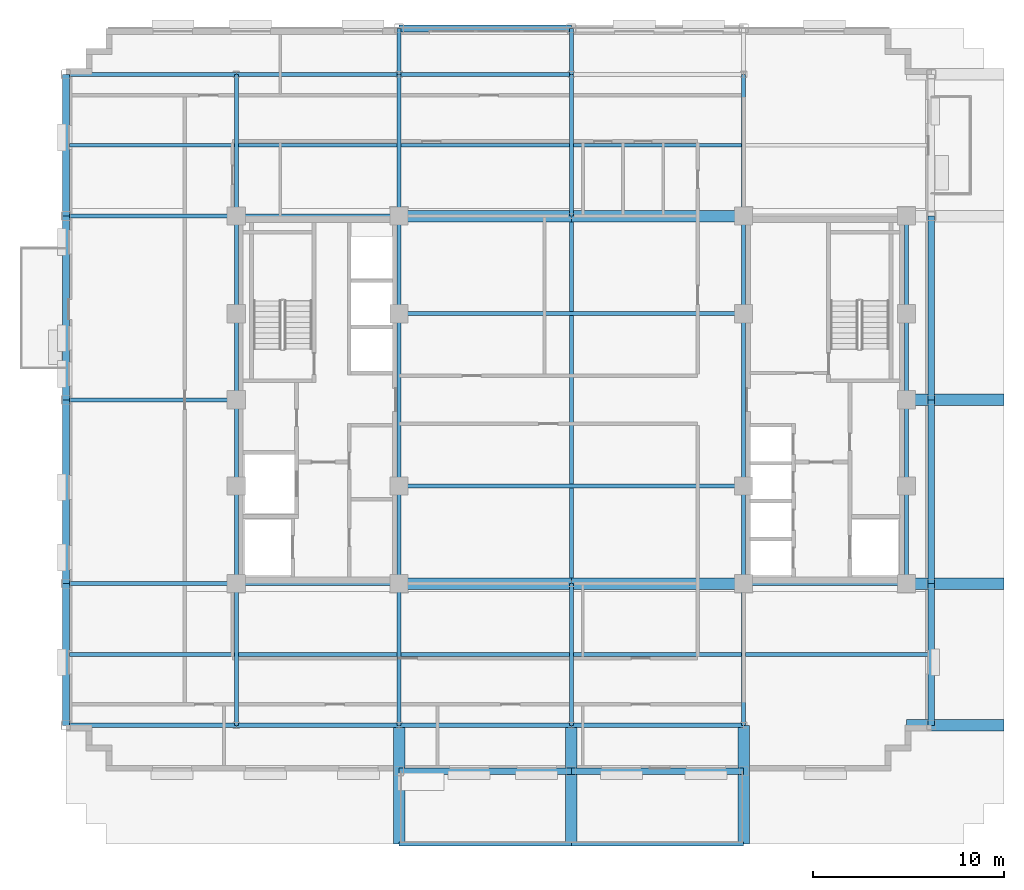
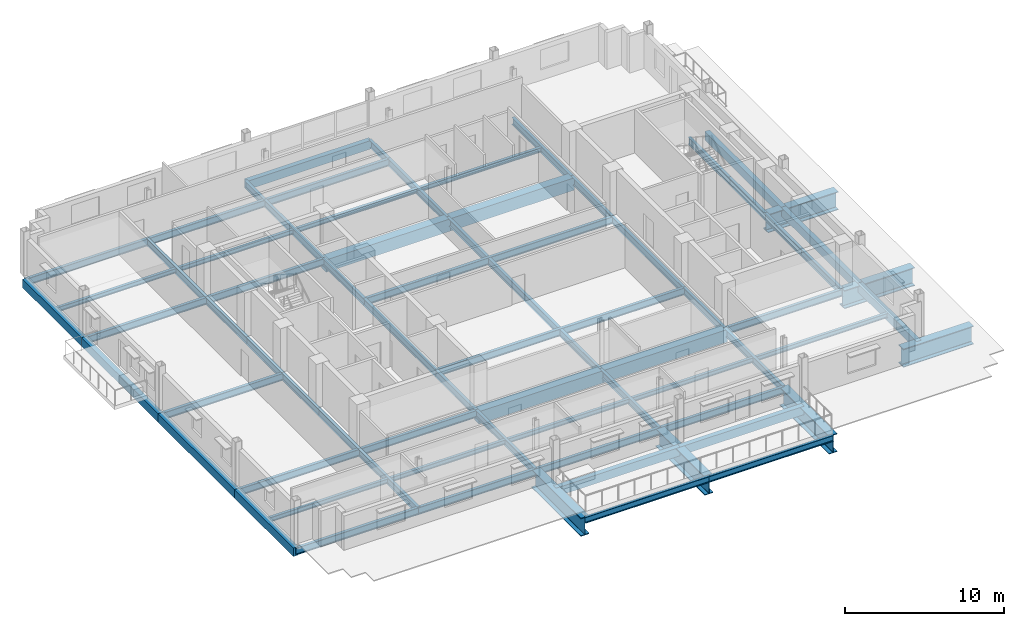
# One storey, part 5 of 16: 71 beams.
"""IFC4 building model written with IfcOpenShell, lengths in metres."""

from ifc_helpers import new_model, si_unit, direction, frame, origin, origin_2d, place, context, subcontext, project, spatial, rectangle, i_section, extrude, material, material_profile, profile_set, type_object, element, save


model = new_model("IFC4")

# Units and contexts
model_context = context("Model", 3, precision=1e-05, world=origin(), true_north=direction((0.0, 1.0)))
body_context = subcontext(model_context, "Body", "Model", "MODEL_VIEW")
ifc_project = project(units=[si_unit("LENGTHUNIT", "METRE"), si_unit("AREAUNIT", "SQUARE_METRE"), si_unit("VOLUMEUNIT", "CUBIC_METRE"), si_unit("PLANEANGLEUNIT", "RADIAN"), si_unit("MASSUNIT", "GRAM", prefix="KILO")], contexts=[model_context])

# Site, building, storey
site_placement = place(None, origin())
site = spatial("IfcSite", under=ifc_project, at=site_placement, CompositionType="ELEMENT")
building_placement = place(site_placement, origin())
building = spatial("IfcBuilding", under=site, at=building_placement, Name="Nuvemarco Arch Tower", CompositionType="ELEMENT")
storey_placement = place(building_placement, frame((0.0, 0.0, 209.14990234375)))
storey = spatial("IfcBuildingStorey", under=building, at=storey_placement, Name="L55", CompositionType="ELEMENT", Elevation=209.14990234375)

# Beams
ifc_material_1 = material(Name="Concrete C60/75", Category="concrete")
ifc_material_profile_1 = material_profile(ifc_material_1, rectangle(XDim=0.60009765625, YDim=0.949951171875, at=origin_2d()), Name="RC-BM-600x950")
ifc_profile_set_1 = profile_set([ifc_material_profile_1], Name="Concrete C60/75")
beam_type_1 = type_object("IfcBeamType", Name="BM-COUP-RC", PredefinedType="LINTEL", material=ifc_profile_set_1)
for number, where, z_axis, x_axis, name in (
    (1, (-9.0, -9.60009765625, -0.875), (1.0, 0.0, 0.0), (0.0, 1.0, 0.0), "L55 structural beam BGEW_L55_0_-9.6_-9.0"),
    (2, (0.0, -9.60009765625, -0.875), (1.0, 0.0, 0.0), (0.0, 1.0, 0.0), "L55 structural beam BGEW_L55_0_-9.6_+0.0"),
    (3, (-9.0, 9.60009765625, -0.875), (1.0, 0.0, 0.0), (0.0, 1.0, 0.0), "L55 structural beam BGEW_L55_0_+9.6_-9.0"),
    (4, (0.0, 9.60009765625, -0.875), (1.0, 0.0, 0.0), (0.0, 1.0, 0.0), "L55 structural beam BGEW_L55_0_+9.6_+0.0"),
):
    element("IfcBeam", number, at=place(storey_placement, frame(where, z_axis=z_axis, x_axis=x_axis)), inside=storey, type_object=beam_type_1, Name=name, PredefinedType="LINTEL", context=body_context, shape_type="SweptSolid", body=[
        extrude(rectangle(XDim=0.60009765625, YDim=0.949951171875, at=origin_2d()), origin(), (0.0, 0.0, 1.0), 9.0),
    ])
ifc_material_2 = material(Name="Steel S355", Category="steel")
ifc_material_profile_2 = material_profile(ifc_material_2, i_section(OverallWidth=0.2109375, OverallDepth=0.5390625, WebThickness=0.01171875, FlangeThickness=0.018798828125, FilletRadius=0.01611328125, at=origin_2d()), Name="W530x109")
ifc_profile_set_2 = profile_set([ifc_material_profile_2], Name="Steel S355")
beam_type_2 = type_object("IfcBeamType", Name="BM-GIRD-530", PredefinedType="BEAM", material=ifc_profile_set_2)
beam_1_placement = place(storey_placement, frame((-17.5, -17.0, -0.66943359375), z_axis=(0.0, 1.0, 0.0), x_axis=(-1.0, 0.0, 0.0)))
element("IfcBeam", 5, at=beam_1_placement, inside=storey, type_object=beam_type_2, Name="L55 structural beam BGNS_L55_0_-17.5_-17.0", PredefinedType="BEAM", context=body_context, shape_type="SweptSolid", body=[
    extrude(i_section(OverallWidth=0.2109375, OverallDepth=0.5390625, WebThickness=0.01171875, FlangeThickness=0.018798828125, FilletRadius=0.01611328125, at=origin_2d()), origin(), (0.0, 0.0, 1.0), 7.39990234375),
])
beam_2_placement = place(storey_placement, frame((-17.5, -9.60009765625, -0.66943359375), z_axis=(0.0, 1.0, 0.0), x_axis=(-1.0, 0.0, 0.0)))
element("IfcBeam", 6, at=beam_2_placement, inside=storey, type_object=beam_type_2, Name="L55 structural beam BGNS_L55_0_-17.5_-9.6", PredefinedType="BEAM", context=body_context, shape_type="SweptSolid", body=[
    extrude(i_section(OverallWidth=0.2109375, OverallDepth=0.5390625, WebThickness=0.01171875, FlangeThickness=0.018798828125, FilletRadius=0.01611328125, at=origin_2d()), origin(), (0.0, 0.0, 1.0), 5.10009765625),
])
for number, where, z_axis, x_axis, name in (
    (7, (-17.5, -4.5, -0.66943359375), (0.0, 1.0, 0.0), (-1.0, 0.0, 0.0), "L55 structural beam BGNS_L55_0_-17.5_-4.5"),
    (8, (-17.5, 0.0, -0.66943359375), (0.0, 1.0, 0.0), (-1.0, 0.0, 0.0), "L55 structural beam BGNS_L55_0_-17.5_+0.0"),
):
    element("IfcBeam", number, at=place(storey_placement, frame(where, z_axis=z_axis, x_axis=x_axis)), inside=storey, type_object=beam_type_2, Name=name, PredefinedType="BEAM", context=body_context, shape_type="SweptSolid", body=[
        extrude(i_section(OverallWidth=0.2109375, OverallDepth=0.5390625, WebThickness=0.01171875, FlangeThickness=0.018798828125, FilletRadius=0.01611328125, at=origin_2d()), origin(), (0.0, 0.0, 1.0), 4.5),
    ])
beam_3_placement = place(storey_placement, frame((-17.5, 4.5, -0.66943359375), z_axis=(0.0, 1.0, 0.0), x_axis=(-1.0, 0.0, 0.0)))
element("IfcBeam", 9, at=beam_3_placement, inside=storey, type_object=beam_type_2, Name="L55 structural beam BGNS_L55_0_-17.5_+4.5", PredefinedType="BEAM", context=body_context, shape_type="SweptSolid", body=[
    extrude(i_section(OverallWidth=0.2109375, OverallDepth=0.5390625, WebThickness=0.01171875, FlangeThickness=0.018798828125, FilletRadius=0.01611328125, at=origin_2d()), origin(), (0.0, 0.0, 1.0), 5.10009765625),
])
for number, where, z_axis, x_axis, name in (
    (10, (-17.5, 9.60009765625, -0.66943359375), (0.0, 1.0, 0.0), (-1.0, 0.0, 0.0), "L55 structural beam BGNS_L55_0_-17.5_+9.6"),
    (11, (-9.0, -17.0, -0.66943359375), (0.0, 1.0, 0.0), (-1.0, 0.0, 0.0), "L55 structural beam BGNS_L55_0_-9.0_-17.0"),
):
    element("IfcBeam", number, at=place(storey_placement, frame(where, z_axis=z_axis, x_axis=x_axis)), inside=storey, type_object=beam_type_2, Name=name, PredefinedType="BEAM", context=body_context, shape_type="SweptSolid", body=[
        extrude(i_section(OverallWidth=0.2109375, OverallDepth=0.5390625, WebThickness=0.01171875, FlangeThickness=0.018798828125, FilletRadius=0.01611328125, at=origin_2d()), origin(), (0.0, 0.0, 1.0), 7.39990234375),
    ])
beam_4_placement = place(storey_placement, frame((-9.0, -9.60009765625, -0.66943359375), z_axis=(0.0, 1.0, 0.0), x_axis=(-1.0, 0.0, 0.0)))
element("IfcBeam", 12, at=beam_4_placement, inside=storey, type_object=beam_type_2, Name="L55 structural beam BGNS_L55_0_-9.0_-9.6", PredefinedType="BEAM", context=body_context, shape_type="SweptSolid", body=[
    extrude(i_section(OverallWidth=0.2109375, OverallDepth=0.5390625, WebThickness=0.01171875, FlangeThickness=0.018798828125, FilletRadius=0.01611328125, at=origin_2d()), origin(), (0.0, 0.0, 1.0), 5.10009765625),
])
beam_5_placement = place(storey_placement, frame((-9.0, -4.5, -0.66943359375), z_axis=(0.0, 1.0, 0.0), x_axis=(-1.0, 0.0, 0.0)))
element("IfcBeam", 13, at=beam_5_placement, inside=storey, type_object=beam_type_2, Name="L55 structural beam BGNS_L55_0_-9.0_-4.5", PredefinedType="BEAM", context=body_context, shape_type="SweptSolid", body=[
    extrude(i_section(OverallWidth=0.2109375, OverallDepth=0.5390625, WebThickness=0.01171875, FlangeThickness=0.018798828125, FilletRadius=0.01611328125, at=origin_2d()), origin(), (0.0, 0.0, 1.0), 9.0),
])
beam_6_placement = place(storey_placement, frame((-9.0, 4.5, -0.66943359375), z_axis=(0.0, 1.0, 0.0), x_axis=(-1.0, 0.0, 0.0)))
element("IfcBeam", 14, at=beam_6_placement, inside=storey, type_object=beam_type_2, Name="L55 structural beam BGNS_L55_0_-9.0_+4.5", PredefinedType="BEAM", context=body_context, shape_type="SweptSolid", body=[
    extrude(i_section(OverallWidth=0.2109375, OverallDepth=0.5390625, WebThickness=0.01171875, FlangeThickness=0.018798828125, FilletRadius=0.01611328125, at=origin_2d()), origin(), (0.0, 0.0, 1.0), 5.10009765625),
])
beam_7_placement = place(storey_placement, frame((-9.0, 9.60009765625, -0.66943359375), z_axis=(0.0, 1.0, 0.0), x_axis=(-1.0, 0.0, 0.0)))
element("IfcBeam", 15, at=beam_7_placement, inside=storey, type_object=beam_type_2, Name="L55 structural beam BGNS_L55_0_-9.0_+9.6", PredefinedType="BEAM", context=body_context, shape_type="SweptSolid", body=[
    extrude(i_section(OverallWidth=0.2109375, OverallDepth=0.5390625, WebThickness=0.01171875, FlangeThickness=0.018798828125, FilletRadius=0.01611328125, at=origin_2d()), origin(), (0.0, 0.0, 1.0), 7.39990234375),
])
beam_8_placement = place(storey_placement, frame((-9.0, 17.0, -0.66943359375), z_axis=(0.0, 1.0, 0.0), x_axis=(-1.0, 0.0, 0.0)))
element("IfcBeam", 16, at=beam_8_placement, inside=storey, type_object=beam_type_2, Name="L55 structural beam BGNS_L55_0_-9.0_+17.0", PredefinedType="BEAM", context=body_context, shape_type="SweptSolid", body=[
    extrude(i_section(OverallWidth=0.2109375, OverallDepth=0.5390625, WebThickness=0.01171875, FlangeThickness=0.018798828125, FilletRadius=0.01611328125, at=origin_2d()), origin(), (0.0, 0.0, 1.0), 2.39990234375),
])
beam_9_placement = place(storey_placement, frame((0.0, -17.0, -0.66943359375), z_axis=(0.0, 1.0, 0.0), x_axis=(-1.0, 0.0, 0.0)))
element("IfcBeam", 17, at=beam_9_placement, inside=storey, type_object=beam_type_2, Name="L55 structural beam BGNS_L55_0_+0.0_-17.0", PredefinedType="BEAM", context=body_context, shape_type="SweptSolid", body=[
    extrude(i_section(OverallWidth=0.2109375, OverallDepth=0.5390625, WebThickness=0.01171875, FlangeThickness=0.018798828125, FilletRadius=0.01611328125, at=origin_2d()), origin(), (0.0, 0.0, 1.0), 7.39990234375),
])
beam_10_placement = place(storey_placement, frame((0.0, -9.60009765625, -0.66943359375), z_axis=(0.0, 1.0, 0.0), x_axis=(-1.0, 0.0, 0.0)))
element("IfcBeam", 18, at=beam_10_placement, inside=storey, type_object=beam_type_2, Name="L55 structural beam BGNS_L55_0_+0.0_-9.6", PredefinedType="BEAM", context=body_context, shape_type="SweptSolid", body=[
    extrude(i_section(OverallWidth=0.2109375, OverallDepth=0.5390625, WebThickness=0.01171875, FlangeThickness=0.018798828125, FilletRadius=0.01611328125, at=origin_2d()), origin(), (0.0, 0.0, 1.0), 19.2001953125),
])
beam_11_placement = place(storey_placement, frame((0.0, 9.60009765625, -0.66943359375), z_axis=(0.0, 1.0, 0.0), x_axis=(-1.0, 0.0, 0.0)))
element("IfcBeam", 19, at=beam_11_placement, inside=storey, type_object=beam_type_2, Name="L55 structural beam BGNS_L55_0_+0.0_+9.6", PredefinedType="BEAM", context=body_context, shape_type="SweptSolid", body=[
    extrude(i_section(OverallWidth=0.2109375, OverallDepth=0.5390625, WebThickness=0.01171875, FlangeThickness=0.018798828125, FilletRadius=0.01611328125, at=origin_2d()), origin(), (0.0, 0.0, 1.0), 7.39990234375),
])
beam_12_placement = place(storey_placement, frame((0.0, 17.0, -0.66943359375), z_axis=(0.0, 1.0, 0.0), x_axis=(-1.0, 0.0, 0.0)))
element("IfcBeam", 20, at=beam_12_placement, inside=storey, type_object=beam_type_2, Name="L55 structural beam BGNS_L55_0_+0.0_+17.0", PredefinedType="BEAM", context=body_context, shape_type="SweptSolid", body=[
    extrude(i_section(OverallWidth=0.2109375, OverallDepth=0.5390625, WebThickness=0.01171875, FlangeThickness=0.018798828125, FilletRadius=0.01611328125, at=origin_2d()), origin(), (0.0, 0.0, 1.0), 2.39990234375),
])
beam_13_placement = place(storey_placement, frame((9.0, -17.0, -0.66943359375), z_axis=(0.0, 1.0, 0.0), x_axis=(-1.0, 0.0, 0.0)))
element("IfcBeam", 21, at=beam_13_placement, inside=storey, type_object=beam_type_2, Name="L55 structural beam BGNS_L55_0_+9.0_-17.0", PredefinedType="BEAM", context=body_context, shape_type="SweptSolid", body=[
    extrude(i_section(OverallWidth=0.2109375, OverallDepth=0.5390625, WebThickness=0.01171875, FlangeThickness=0.018798828125, FilletRadius=0.01611328125, at=origin_2d()), origin(), (0.0, 0.0, 1.0), 7.39990234375),
])
beam_14_placement = place(storey_placement, frame((9.0, -9.60009765625, -0.66943359375), z_axis=(0.0, 1.0, 0.0), x_axis=(-1.0, 0.0, 0.0)))
element("IfcBeam", 22, at=beam_14_placement, inside=storey, type_object=beam_type_2, Name="L55 structural beam BGNS_L55_0_+9.0_-9.6", PredefinedType="BEAM", context=body_context, shape_type="SweptSolid", body=[
    extrude(i_section(OverallWidth=0.2109375, OverallDepth=0.5390625, WebThickness=0.01171875, FlangeThickness=0.018798828125, FilletRadius=0.01611328125, at=origin_2d()), origin(), (0.0, 0.0, 1.0), 5.10009765625),
])
beam_15_placement = place(storey_placement, frame((9.0, -4.5, -0.66943359375), z_axis=(0.0, 1.0, 0.0), x_axis=(-1.0, 0.0, 0.0)))
element("IfcBeam", 23, at=beam_15_placement, inside=storey, type_object=beam_type_2, Name="L55 structural beam BGNS_L55_0_+9.0_-4.5", PredefinedType="BEAM", context=body_context, shape_type="SweptSolid", body=[
    extrude(i_section(OverallWidth=0.2109375, OverallDepth=0.5390625, WebThickness=0.01171875, FlangeThickness=0.018798828125, FilletRadius=0.01611328125, at=origin_2d()), origin(), (0.0, 0.0, 1.0), 9.0),
])
beam_16_placement = place(storey_placement, frame((9.0, 4.5, -0.66943359375), z_axis=(0.0, 1.0, 0.0), x_axis=(-1.0, 0.0, 0.0)))
element("IfcBeam", 24, at=beam_16_placement, inside=storey, type_object=beam_type_2, Name="L55 structural beam BGNS_L55_0_+9.0_+4.5", PredefinedType="BEAM", context=body_context, shape_type="SweptSolid", body=[
    extrude(i_section(OverallWidth=0.2109375, OverallDepth=0.5390625, WebThickness=0.01171875, FlangeThickness=0.018798828125, FilletRadius=0.01611328125, at=origin_2d()), origin(), (0.0, 0.0, 1.0), 5.10009765625),
])
beam_17_placement = place(storey_placement, frame((9.0, 9.60009765625, -0.66943359375), z_axis=(0.0, 1.0, 0.0), x_axis=(-1.0, 0.0, 0.0)))
element("IfcBeam", 25, at=beam_17_placement, inside=storey, type_object=beam_type_2, Name="L55 structural beam BGNS_L55_0_+9.0_+9.6", PredefinedType="BEAM", context=body_context, shape_type="SweptSolid", body=[
    extrude(i_section(OverallWidth=0.2109375, OverallDepth=0.5390625, WebThickness=0.01171875, FlangeThickness=0.018798828125, FilletRadius=0.01611328125, at=origin_2d()), origin(), (0.0, 0.0, 1.0), 7.39990234375),
])
beam_18_placement = place(storey_placement, frame((17.5, -9.60009765625, -0.66943359375), z_axis=(0.0, 1.0, 0.0), x_axis=(-1.0, 0.0, 0.0)))
element("IfcBeam", 26, at=beam_18_placement, inside=storey, type_object=beam_type_2, Name="L55 structural beam BGNS_L55_0_+17.5_-9.6", PredefinedType="BEAM", context=body_context, shape_type="SweptSolid", body=[
    extrude(i_section(OverallWidth=0.2109375, OverallDepth=0.5390625, WebThickness=0.01171875, FlangeThickness=0.018798828125, FilletRadius=0.01611328125, at=origin_2d()), origin(), (0.0, 0.0, 1.0), 5.10009765625),
])
for number, where, z_axis, x_axis, name in (
    (27, (17.5, -4.5, -0.66943359375), (0.0, 1.0, 0.0), (-1.0, 0.0, 0.0), "L55 structural beam BGNS_L55_0_+17.5_-4.5"),
    (28, (17.5, 0.0, -0.66943359375), (0.0, 1.0, 0.0), (-1.0, 0.0, 0.0), "L55 structural beam BGNS_L55_0_+17.5_+0.0"),
):
    element("IfcBeam", number, at=place(storey_placement, frame(where, z_axis=z_axis, x_axis=x_axis)), inside=storey, type_object=beam_type_2, Name=name, PredefinedType="BEAM", context=body_context, shape_type="SweptSolid", body=[
        extrude(i_section(OverallWidth=0.2109375, OverallDepth=0.5390625, WebThickness=0.01171875, FlangeThickness=0.018798828125, FilletRadius=0.01611328125, at=origin_2d()), origin(), (0.0, 0.0, 1.0), 4.5),
    ])
beam_19_placement = place(storey_placement, frame((17.5, 4.5, -0.66943359375), z_axis=(0.0, 1.0, 0.0), x_axis=(-1.0, 0.0, 0.0)))
element("IfcBeam", 29, at=beam_19_placement, inside=storey, type_object=beam_type_2, Name="L55 structural beam BGNS_L55_0_+17.5_+4.5", PredefinedType="BEAM", context=body_context, shape_type="SweptSolid", body=[
    extrude(i_section(OverallWidth=0.2109375, OverallDepth=0.5390625, WebThickness=0.01171875, FlangeThickness=0.018798828125, FilletRadius=0.01611328125, at=origin_2d()), origin(), (0.0, 0.0, 1.0), 5.10009765625),
])
beam_20_placement = place(storey_placement, frame((-26.39990234375, -17.0, -0.66943359375), z_axis=(1.0, 0.0, 0.0), x_axis=(0.0, 1.0, 0.0)))
element("IfcBeam", 30, at=beam_20_placement, inside=storey, type_object=beam_type_2, Name="L55 structural beam BGEW_L55_0_-17.0_-26.4", PredefinedType="BEAM", context=body_context, shape_type="SweptSolid", body=[
    extrude(i_section(OverallWidth=0.2109375, OverallDepth=0.5390625, WebThickness=0.01171875, FlangeThickness=0.018798828125, FilletRadius=0.01611328125, at=origin_2d()), origin(), (0.0, 0.0, 1.0), 8.89990234375),
])
beam_21_placement = place(storey_placement, frame((-17.5, -17.0, -0.66943359375), z_axis=(1.0, 0.0, 0.0), x_axis=(0.0, 1.0, 0.0)))
element("IfcBeam", 31, at=beam_21_placement, inside=storey, type_object=beam_type_2, Name="L55 structural beam BGEW_L55_0_-17.0_-17.5", PredefinedType="BEAM", context=body_context, shape_type="SweptSolid", body=[
    extrude(i_section(OverallWidth=0.2109375, OverallDepth=0.5390625, WebThickness=0.01171875, FlangeThickness=0.018798828125, FilletRadius=0.01611328125, at=origin_2d()), origin(), (0.0, 0.0, 1.0), 8.5),
])
for number, where, z_axis, x_axis, name in (
    (32, (-9.0, -17.0, -0.66943359375), (1.0, 0.0, 0.0), (0.0, 1.0, 0.0), "L55 structural beam BGEW_L55_0_-17.0_-9.0"),
    (33, (0.0, -17.0, -0.66943359375), (1.0, 0.0, 0.0), (0.0, 1.0, 0.0), "L55 structural beam BGEW_L55_0_-17.0_+0.0"),
):
    element("IfcBeam", number, at=place(storey_placement, frame(where, z_axis=z_axis, x_axis=x_axis)), inside=storey, type_object=beam_type_2, Name=name, PredefinedType="BEAM", context=body_context, shape_type="SweptSolid", body=[
        extrude(i_section(OverallWidth=0.2109375, OverallDepth=0.5390625, WebThickness=0.01171875, FlangeThickness=0.018798828125, FilletRadius=0.01611328125, at=origin_2d()), origin(), (0.0, 0.0, 1.0), 9.0),
    ])
beam_22_placement = place(storey_placement, frame((-26.39990234375, -9.60009765625, -0.66943359375), z_axis=(1.0, 0.0, 0.0), x_axis=(0.0, 1.0, 0.0)))
element("IfcBeam", 34, at=beam_22_placement, inside=storey, type_object=beam_type_2, Name="L55 structural beam BGEW_L55_0_-9.6_-26.4", PredefinedType="BEAM", context=body_context, shape_type="SweptSolid", body=[
    extrude(i_section(OverallWidth=0.2109375, OverallDepth=0.5390625, WebThickness=0.01171875, FlangeThickness=0.018798828125, FilletRadius=0.01611328125, at=origin_2d()), origin(), (0.0, 0.0, 1.0), 8.89990234375),
])
for number, where, z_axis, x_axis, name in (
    (35, (-17.5, -9.60009765625, -0.66943359375), (1.0, 0.0, 0.0), (0.0, 1.0, 0.0), "L55 structural beam BGEW_L55_0_-9.6_-17.5"),
    (36, (9.0, -9.60009765625, -0.66943359375), (1.0, 0.0, 0.0), (0.0, 1.0, 0.0), "L55 structural beam BGEW_L55_0_-9.6_+9.0"),
):
    element("IfcBeam", number, at=place(storey_placement, frame(where, z_axis=z_axis, x_axis=x_axis)), inside=storey, type_object=beam_type_2, Name=name, PredefinedType="BEAM", context=body_context, shape_type="SweptSolid", body=[
        extrude(i_section(OverallWidth=0.2109375, OverallDepth=0.5390625, WebThickness=0.01171875, FlangeThickness=0.018798828125, FilletRadius=0.01611328125, at=origin_2d()), origin(), (0.0, 0.0, 1.0), 8.5),
    ])
beam_23_placement = place(storey_placement, frame((-9.0, -4.5, -0.66943359375), z_axis=(1.0, 0.0, 0.0), x_axis=(0.0, 1.0, 0.0)))
element("IfcBeam", 37, at=beam_23_placement, inside=storey, type_object=beam_type_2, Name="L55 structural beam BGEW_L55_0_-4.5_-9.0", PredefinedType="BEAM", context=body_context, shape_type="SweptSolid", body=[
    extrude(i_section(OverallWidth=0.2109375, OverallDepth=0.5390625, WebThickness=0.01171875, FlangeThickness=0.018798828125, FilletRadius=0.01611328125, at=origin_2d()), origin(), (0.0, 0.0, 1.0), 18.0),
])
beam_24_placement = place(storey_placement, frame((-26.39990234375, 0.0, -0.66943359375), z_axis=(1.0, 0.0, 0.0), x_axis=(0.0, 1.0, 0.0)))
element("IfcBeam", 38, at=beam_24_placement, inside=storey, type_object=beam_type_2, Name="L55 structural beam BGEW_L55_0_+0.0_-26.4", PredefinedType="BEAM", context=body_context, shape_type="SweptSolid", body=[
    extrude(i_section(OverallWidth=0.2109375, OverallDepth=0.5390625, WebThickness=0.01171875, FlangeThickness=0.018798828125, FilletRadius=0.01611328125, at=origin_2d()), origin(), (0.0, 0.0, 1.0), 8.89990234375),
])
beam_25_placement = place(storey_placement, frame((-9.0, 4.5, -0.66943359375), z_axis=(1.0, 0.0, 0.0), x_axis=(0.0, 1.0, 0.0)))
element("IfcBeam", 39, at=beam_25_placement, inside=storey, type_object=beam_type_2, Name="L55 structural beam BGEW_L55_0_+4.5_-9.0", PredefinedType="BEAM", context=body_context, shape_type="SweptSolid", body=[
    extrude(i_section(OverallWidth=0.2109375, OverallDepth=0.5390625, WebThickness=0.01171875, FlangeThickness=0.018798828125, FilletRadius=0.01611328125, at=origin_2d()), origin(), (0.0, 0.0, 1.0), 18.0),
])
beam_26_placement = place(storey_placement, frame((-26.39990234375, 9.60009765625, -0.66943359375), z_axis=(1.0, 0.0, 0.0), x_axis=(0.0, 1.0, 0.0)))
element("IfcBeam", 40, at=beam_26_placement, inside=storey, type_object=beam_type_2, Name="L55 structural beam BGEW_L55_0_+9.6_-26.4", PredefinedType="BEAM", context=body_context, shape_type="SweptSolid", body=[
    extrude(i_section(OverallWidth=0.2109375, OverallDepth=0.5390625, WebThickness=0.01171875, FlangeThickness=0.018798828125, FilletRadius=0.01611328125, at=origin_2d()), origin(), (0.0, 0.0, 1.0), 8.89990234375),
])
beam_27_placement = place(storey_placement, frame((-17.5, 9.60009765625, -0.66943359375), z_axis=(1.0, 0.0, 0.0), x_axis=(0.0, 1.0, 0.0)))
element("IfcBeam", 41, at=beam_27_placement, inside=storey, type_object=beam_type_2, Name="L55 structural beam BGEW_L55_0_+9.6_-17.5", PredefinedType="BEAM", context=body_context, shape_type="SweptSolid", body=[
    extrude(i_section(OverallWidth=0.2109375, OverallDepth=0.5390625, WebThickness=0.01171875, FlangeThickness=0.018798828125, FilletRadius=0.01611328125, at=origin_2d()), origin(), (0.0, 0.0, 1.0), 8.5),
])
beam_28_placement = place(storey_placement, frame((-26.39990234375, 17.0, -0.66943359375), z_axis=(1.0, 0.0, 0.0), x_axis=(0.0, 1.0, 0.0)))
element("IfcBeam", 42, at=beam_28_placement, inside=storey, type_object=beam_type_2, Name="L55 structural beam BGEW_L55_0_+17.0_-26.4", PredefinedType="BEAM", context=body_context, shape_type="SweptSolid", body=[
    extrude(i_section(OverallWidth=0.2109375, OverallDepth=0.5390625, WebThickness=0.01171875, FlangeThickness=0.018798828125, FilletRadius=0.01611328125, at=origin_2d()), origin(), (0.0, 0.0, 1.0), 8.89990234375),
])
beam_29_placement = place(storey_placement, frame((-17.5, 17.0, -0.66943359375), z_axis=(1.0, 0.0, 0.0), x_axis=(0.0, 1.0, 0.0)))
element("IfcBeam", 43, at=beam_29_placement, inside=storey, type_object=beam_type_2, Name="L55 structural beam BGEW_L55_0_+17.0_-17.5", PredefinedType="BEAM", context=body_context, shape_type="SweptSolid", body=[
    extrude(i_section(OverallWidth=0.2109375, OverallDepth=0.5390625, WebThickness=0.01171875, FlangeThickness=0.018798828125, FilletRadius=0.01611328125, at=origin_2d()), origin(), (0.0, 0.0, 1.0), 8.5),
])
beam_30_placement = place(storey_placement, frame((-9.0, 17.0, -0.66943359375), z_axis=(1.0, 0.0, 0.0), x_axis=(0.0, 1.0, 0.0)))
element("IfcBeam", 44, at=beam_30_placement, inside=storey, type_object=beam_type_2, Name="L55 structural beam BGEW_L55_0_+17.0_-9.0", PredefinedType="BEAM", context=body_context, shape_type="SweptSolid", body=[
    extrude(i_section(OverallWidth=0.2109375, OverallDepth=0.5390625, WebThickness=0.01171875, FlangeThickness=0.018798828125, FilletRadius=0.01611328125, at=origin_2d()), origin(), (0.0, 0.0, 1.0), 9.0),
])
ifc_material_profile_3 = material_profile(ifc_material_2, i_section(OverallWidth=0.202880859375, OverallDepth=0.346923828125, WebThickness=0.0078125, FlangeThickness=0.013427734375, FilletRadius=0.014892578125, at=origin_2d()), Name="W360x64")
ifc_profile_set_3 = profile_set([ifc_material_profile_3], Name="Steel S355")
beam_type_3 = type_object("IfcBeamType", Name="BM-JOIST-360", PredefinedType="JOIST", material=ifc_profile_set_3)
beam_31_placement = place(storey_placement, frame((-26.22509765625, -13.300048828125, -0.573486328125), z_axis=(1.0, 0.0, 0.0), x_axis=(0.0, 1.0, 0.0)))
element("IfcBeam", 45, at=beam_31_placement, inside=storey, type_object=beam_type_3, Name="L55 structural beam BJ_L55_0_-13.3_-26.4", PredefinedType="JOIST", context=body_context, shape_type="SweptSolid", body=[
    extrude(i_section(OverallWidth=0.202880859375, OverallDepth=0.346923828125, WebThickness=0.0078125, FlangeThickness=0.013427734375, FilletRadius=0.014892578125, at=origin_2d()), origin(), (0.0, 0.0, 1.0), 8.61962890625),
])
beam_32_placement = place(storey_placement, frame((-17.39453125, -13.300048828125, -0.573486328125), z_axis=(1.0, 0.0, 0.0), x_axis=(0.0, 1.0, 0.0)))
element("IfcBeam", 46, at=beam_32_placement, inside=storey, type_object=beam_type_3, Name="L55 structural beam BJ_L55_0_-13.3_-17.5", PredefinedType="JOIST", context=body_context, shape_type="SweptSolid", body=[
    extrude(i_section(OverallWidth=0.202880859375, OverallDepth=0.346923828125, WebThickness=0.0078125, FlangeThickness=0.013427734375, FilletRadius=0.014892578125, at=origin_2d()), origin(), (0.0, 0.0, 1.0), 8.2890625),
])
for number, where, z_axis, x_axis, name in (
    (47, (-8.89453125, -13.300048828125, -0.573486328125), (1.0, 0.0, 0.0), (0.0, 1.0, 0.0), "L55 structural beam BJ_L55_0_-13.3_-9.0"),
    (48, (0.10546875, -13.300048828125, -0.573486328125), (1.0, 0.0, 0.0), (0.0, 1.0, 0.0), "L55 structural beam BJ_L55_0_-13.3_+0.0"),
):
    element("IfcBeam", number, at=place(storey_placement, frame(where, z_axis=z_axis, x_axis=x_axis)), inside=storey, type_object=beam_type_3, Name=name, PredefinedType="JOIST", context=body_context, shape_type="SweptSolid", body=[
        extrude(i_section(OverallWidth=0.202880859375, OverallDepth=0.346923828125, WebThickness=0.0078125, FlangeThickness=0.013427734375, FilletRadius=0.014892578125, at=origin_2d()), origin(), (0.0, 0.0, 1.0), 8.7890625),
    ])
beam_33_placement = place(storey_placement, frame((9.10546875, -13.300048828125, -0.573486328125), z_axis=(1.0, 0.0, 0.0), x_axis=(0.0, 1.0, 0.0)))
element("IfcBeam", 49, at=beam_33_placement, inside=storey, type_object=beam_type_3, Name="L55 structural beam BJ_L55_0_-13.3_+9.0", PredefinedType="JOIST", context=body_context, shape_type="SweptSolid", body=[
    extrude(i_section(OverallWidth=0.202880859375, OverallDepth=0.346923828125, WebThickness=0.0078125, FlangeThickness=0.013427734375, FilletRadius=0.014892578125, at=origin_2d()), origin(), (0.0, 0.0, 1.0), 9.51953125),
])
beam_34_placement = place(storey_placement, frame((-26.22509765625, 13.300048828125, -0.573486328125), z_axis=(1.0, 0.0, 0.0), x_axis=(0.0, 1.0, 0.0)))
element("IfcBeam", 50, at=beam_34_placement, inside=storey, type_object=beam_type_3, Name="L55 structural beam BJ_L55_0_+13.3_-26.4", PredefinedType="JOIST", context=body_context, shape_type="SweptSolid", body=[
    extrude(i_section(OverallWidth=0.202880859375, OverallDepth=0.346923828125, WebThickness=0.0078125, FlangeThickness=0.013427734375, FilletRadius=0.014892578125, at=origin_2d()), origin(), (0.0, 0.0, 1.0), 8.61962890625),
])
beam_35_placement = place(storey_placement, frame((-17.39453125, 13.300048828125, -0.573486328125), z_axis=(1.0, 0.0, 0.0), x_axis=(0.0, 1.0, 0.0)))
element("IfcBeam", 51, at=beam_35_placement, inside=storey, type_object=beam_type_3, Name="L55 structural beam BJ_L55_0_+13.3_-17.5", PredefinedType="JOIST", context=body_context, shape_type="SweptSolid", body=[
    extrude(i_section(OverallWidth=0.202880859375, OverallDepth=0.346923828125, WebThickness=0.0078125, FlangeThickness=0.013427734375, FilletRadius=0.014892578125, at=origin_2d()), origin(), (0.0, 0.0, 1.0), 8.2890625),
])
for number, where, z_axis, x_axis, name in (
    (52, (-8.89453125, 13.300048828125, -0.573486328125), (1.0, 0.0, 0.0), (0.0, 1.0, 0.0), "L55 structural beam BJ_L55_0_+13.3_-9.0"),
    (53, (0.10546875, 13.300048828125, -0.573486328125), (1.0, 0.0, 0.0), (0.0, 1.0, 0.0), "L55 structural beam BJ_L55_0_+13.3_+0.0"),
):
    element("IfcBeam", number, at=place(storey_placement, frame(where, z_axis=z_axis, x_axis=x_axis)), inside=storey, type_object=beam_type_3, Name=name, PredefinedType="JOIST", context=body_context, shape_type="SweptSolid", body=[
        extrude(i_section(OverallWidth=0.202880859375, OverallDepth=0.346923828125, WebThickness=0.0078125, FlangeThickness=0.013427734375, FilletRadius=0.014892578125, at=origin_2d()), origin(), (0.0, 0.0, 1.0), 8.7890625),
    ])
ifc_material_profile_4 = material_profile(ifc_material_2, i_section(OverallWidth=0.19189453125, OverallDepth=0.462890625, WebThickness=0.010498046875, FlangeThickness=0.017578125, FilletRadius=0.014892578125, at=origin_2d()), Name="W460x89")
ifc_profile_set_4 = profile_set([ifc_material_profile_4], Name="Steel S355")
beam_type_4 = type_object("IfcBeamType", Name="BM-SET-TERR", PredefinedType="BEAM", material=ifc_profile_set_4)
for number, where, z_axis, x_axis, name in (
    (54, (-9.0, -23.199951171875, -0.611328125), (1.0, 0.0, 0.0), (0.0, 1.0, 0.0), "L55 structural beam BSETE_L55_0_0"),
    (55, (0.0, -23.199951171875, -0.611328125), (1.0, 0.0, 0.0), (0.0, 1.0, 0.0), "L55 structural beam BSETE_L55_0_1"),
):
    element("IfcBeam", number, at=place(storey_placement, frame(where, z_axis=z_axis, x_axis=x_axis)), inside=storey, type_object=beam_type_4, Name=name, PredefinedType="BEAM", context=body_context, shape_type="SweptSolid", body=[
        extrude(i_section(OverallWidth=0.19189453125, OverallDepth=0.462890625, WebThickness=0.010498046875, FlangeThickness=0.017578125, FilletRadius=0.014892578125, at=origin_2d()), origin(), (0.0, 0.0, 1.0), 9.0),
    ])
ifc_material_3 = material(Name="Precast concrete C45/55", Category="concrete")
ifc_material_profile_5 = material_profile(ifc_material_3, rectangle(XDim=0.35009765625, YDim=0.64990234375, at=origin_2d()), Name="PC-SP-350x650")
ifc_profile_set_5 = profile_set([ifc_material_profile_5], Name="Precast concrete C45/55")
beam_type_5 = type_object("IfcBeamType", Name="BM-SPAN-RC", PredefinedType="SPANDREL", material=ifc_profile_set_5)
beam_36_placement = place(storey_placement, frame((-26.39990234375, -17.0, -0.724853515625), z_axis=(0.0, 1.0, 0.0), x_axis=(-1.0, 0.0, 0.0)))
element("IfcBeam", 56, at=beam_36_placement, inside=storey, type_object=beam_type_5, Name="L55 structural beam BGNS_L55_0_-26.4_-17.0", PredefinedType="SPANDREL", context=body_context, shape_type="SweptSolid", body=[
    extrude(rectangle(XDim=0.35009765625, YDim=0.64990234375, at=origin_2d()), origin(), (0.0, 0.0, 1.0), 7.39990234375),
])
for number, where, z_axis, x_axis, name in (
    (57, (-26.39990234375, -9.60009765625, -0.724853515625), (0.0, 1.0, 0.0), (-1.0, 0.0, 0.0), "L55 structural beam BGNS_L55_0_-26.4_-9.6"),
    (58, (-26.39990234375, 0.0, -0.724853515625), (0.0, 1.0, 0.0), (-1.0, 0.0, 0.0), "L55 structural beam BGNS_L55_0_-26.4_+0.0"),
):
    element("IfcBeam", number, at=place(storey_placement, frame(where, z_axis=z_axis, x_axis=x_axis)), inside=storey, type_object=beam_type_5, Name=name, PredefinedType="SPANDREL", context=body_context, shape_type="SweptSolid", body=[
        extrude(rectangle(XDim=0.35009765625, YDim=0.64990234375, at=origin_2d()), origin(), (0.0, 0.0, 1.0), 9.60009765625),
    ])
for number, where, z_axis, x_axis, name in (
    (59, (-26.39990234375, 9.60009765625, -0.724853515625), (0.0, 1.0, 0.0), (-1.0, 0.0, 0.0), "L55 structural beam BGNS_L55_0_-26.4_+9.6"),
    (60, (18.800048828125, -17.0, -0.724853515625), (0.0, 1.0, 0.0), (-1.0, 0.0, 0.0), "L55 structural beam BGNS_L55_0_+18.8_-17.0"),
):
    element("IfcBeam", number, at=place(storey_placement, frame(where, z_axis=z_axis, x_axis=x_axis)), inside=storey, type_object=beam_type_5, Name=name, PredefinedType="SPANDREL", context=body_context, shape_type="SweptSolid", body=[
        extrude(rectangle(XDim=0.35009765625, YDim=0.64990234375, at=origin_2d()), origin(), (0.0, 0.0, 1.0), 7.39990234375),
    ])
for number, where, z_axis, x_axis, name in (
    (61, (18.800048828125, -9.60009765625, -0.724853515625), (0.0, 1.0, 0.0), (-1.0, 0.0, 0.0), "L55 structural beam BGNS_L55_0_+18.8_-9.6"),
    (62, (18.800048828125, 0.0, -0.724853515625), (0.0, 1.0, 0.0), (-1.0, 0.0, 0.0), "L55 structural beam BGNS_L55_0_+18.8_+0.0"),
):
    element("IfcBeam", number, at=place(storey_placement, frame(where, z_axis=z_axis, x_axis=x_axis)), inside=storey, type_object=beam_type_5, Name=name, PredefinedType="SPANDREL", context=body_context, shape_type="SweptSolid", body=[
        extrude(rectangle(XDim=0.35009765625, YDim=0.64990234375, at=origin_2d()), origin(), (0.0, 0.0, 1.0), 9.60009765625),
    ])
for number, where, z_axis, x_axis, name in (
    (63, (-9.0, -19.39990234375, -0.724853515625), (1.0, 0.0, 0.0), (0.0, 1.0, 0.0), "L55 structural beam BGEW_L55_0_-19.4_-9.0"),
    (64, (0.0, -19.39990234375, -0.724853515625), (1.0, 0.0, 0.0), (0.0, 1.0, 0.0), "L55 structural beam BGEW_L55_0_-19.4_+0.0"),
    (65, (-9.0, 19.39990234375, -0.724853515625), (1.0, 0.0, 0.0), (0.0, 1.0, 0.0), "L55 structural beam BGEW_L55_0_+19.4_-9.0"),
):
    element("IfcBeam", number, at=place(storey_placement, frame(where, z_axis=z_axis, x_axis=x_axis)), inside=storey, type_object=beam_type_5, Name=name, PredefinedType="SPANDREL", context=body_context, shape_type="SweptSolid", body=[
        extrude(rectangle(XDim=0.35009765625, YDim=0.64990234375, at=origin_2d()), origin(), (0.0, 0.0, 1.0), 9.0),
    ])
ifc_material_4 = material(Name="Steel S460", Category="steel")
ifc_material_profile_6 = material_profile(ifc_material_4, i_section(OverallWidth=0.60009765625, OverallDepth=1.39990234375, WebThickness=0.031982421875, FlangeThickness=0.054931640625, FilletRadius=0.02001953125, at=origin_2d()), Name="PG1400x600")
ifc_profile_set_6 = profile_set([ifc_material_profile_6], Name="Steel S460")
beam_type_6 = type_object("IfcBeamType", Name="BM-TG-SETBACK", PredefinedType="BEAM", material=ifc_profile_set_6)
for number, where, z_axis, x_axis, name in (
    (66, (17.5, -17.0, -1.099853515625), (1.0, 0.0, 0.0), (0.0, 1.0, 0.0), "L55 structural beam TGS_L55_E_-17.0"),
    (67, (17.5, -9.60009765625, -1.099853515625), (1.0, 0.0, 0.0), (0.0, 1.0, 0.0), "L55 structural beam TGS_L55_E_-9.6"),
    (68, (17.5, 0.0, -1.099853515625), (1.0, 0.0, 0.0), (0.0, 1.0, 0.0), "L55 structural beam TGS_L55_E_+0.0"),
):
    element("IfcBeam", number, at=place(storey_placement, frame(where, z_axis=z_axis, x_axis=x_axis)), inside=storey, type_object=beam_type_6, Name=name, PredefinedType="BEAM", context=body_context, shape_type="SweptSolid", body=[
        extrude(i_section(OverallWidth=0.60009765625, OverallDepth=1.39990234375, WebThickness=0.031982421875, FlangeThickness=0.054931640625, FilletRadius=0.02001953125, at=origin_2d()), origin(), (0.0, 0.0, 1.0), 5.10009765625),
    ])
for number, where, z_axis, x_axis, name in (
    (69, (-9.0, -23.199951171875, -1.099853515625), (0.0, 1.0, 0.0), (-1.0, 0.0, 0.0), "L55 structural beam TGS_L55_S_-9.0"),
    (70, (0.0, -23.199951171875, -1.099853515625), (0.0, 1.0, 0.0), (-1.0, 0.0, 0.0), "L55 structural beam TGS_L55_S_+0.0"),
    (71, (9.0, -23.199951171875, -1.099853515625), (0.0, 1.0, 0.0), (-1.0, 0.0, 0.0), "L55 structural beam TGS_L55_S_+9.0"),
):
    element("IfcBeam", number, at=place(storey_placement, frame(where, z_axis=z_axis, x_axis=x_axis)), inside=storey, type_object=beam_type_6, Name=name, PredefinedType="BEAM", context=body_context, shape_type="SweptSolid", body=[
        extrude(i_section(OverallWidth=0.60009765625, OverallDepth=1.39990234375, WebThickness=0.031982421875, FlangeThickness=0.054931640625, FilletRadius=0.02001953125, at=origin_2d()), origin(), (0.0, 0.0, 1.0), 6.199951171875),
    ])

save(model, "model.ifc")
